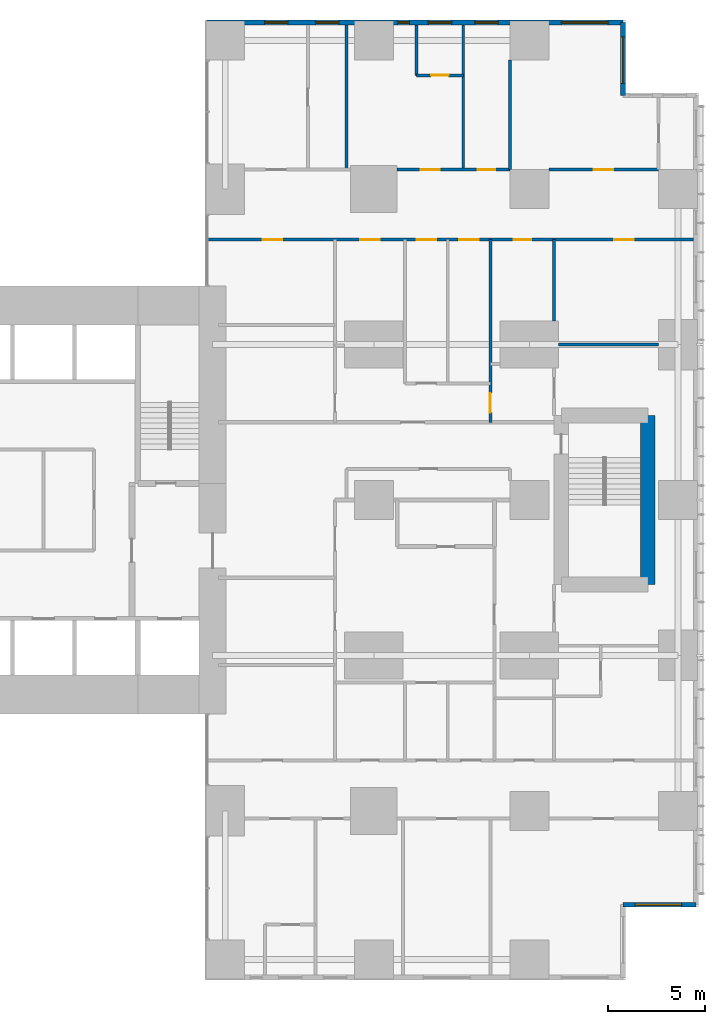
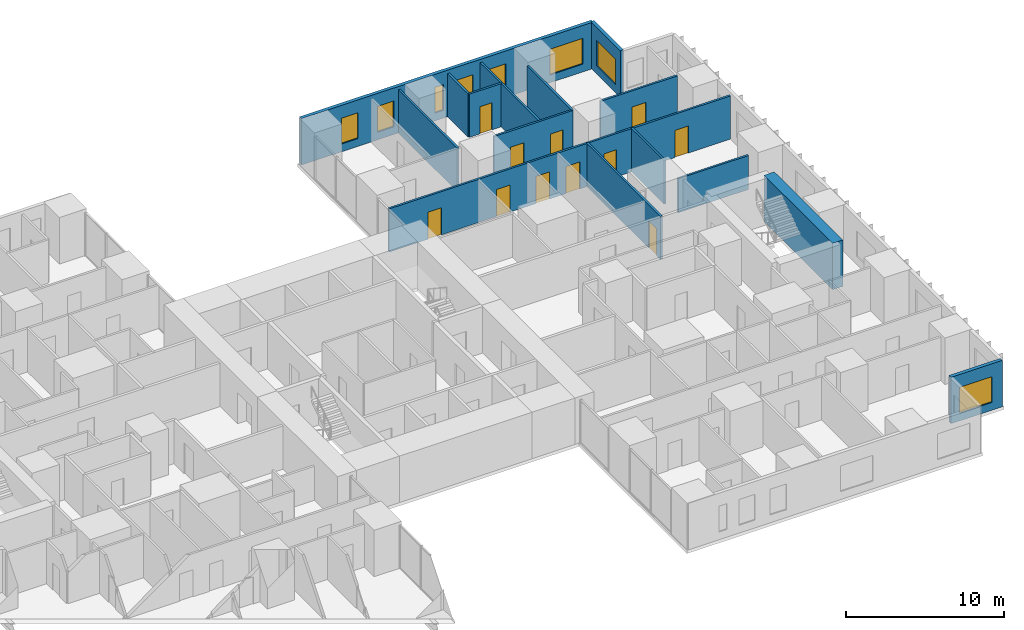
# One storey, part 18 of 20: 15 walls, 11 doors, 8 windows, 19 openings.
"""IFC4 building model written with IfcOpenShell, lengths in metres."""

from ifc_helpers import new_model, si_unit, direction, frame, frame_2d, origin, place, context, subcontext, project, spatial, rectangle, extrude, material, layer, layer_set, type_object, element, fill, save


model = new_model("IFC4")

# Units and contexts
model_context = context("Model", 3, precision=1e-05, world=origin(), true_north=direction((0.0, 1.0)))
body_context = subcontext(model_context, "Body", "Model", "MODEL_VIEW")
ifc_project = project(units=[si_unit("LENGTHUNIT", "METRE"), si_unit("AREAUNIT", "SQUARE_METRE"), si_unit("VOLUMEUNIT", "CUBIC_METRE"), si_unit("PLANEANGLEUNIT", "RADIAN"), si_unit("MASSUNIT", "GRAM", prefix="KILO")], contexts=[model_context])

# Site, building, storey
site_placement = place(None, origin())
site = spatial("IfcSite", under=ifc_project, at=site_placement, CompositionType="ELEMENT")
building_placement = place(site_placement, origin())
building = spatial("IfcBuilding", under=site, at=building_placement, Name="Cleftline Residences", CompositionType="ELEMENT")
storey_placement = place(building_placement, frame((0.0, 0.0, 36.800048828125)))
storey = spatial("IfcBuildingStorey", under=building, at=storey_placement, Name="L08", CompositionType="ELEMENT", Elevation=36.800048828125)

# Wall, opening, window
ifc_material_1 = material(Name="Rendered reinforced concrete blockwork", Category="masonry")
ifc_layer_1 = layer(ifc_material_1, 0.25)
ifc_layer_set_1 = layer_set([ifc_layer_1], Name="EXTERNAL WALL 250")
wall_type_1 = type_object("IfcWallType", Name="EXTERNAL WALL 250", PredefinedType="SOLIDWALL", material=ifc_layer_set_1)
wall_1_placement = place(storey_placement, frame((62.824951171875, 3.175048828125, 0.0), z_axis=(0.0, 0.0, 1.0), x_axis=(1.0, 0.0, 0.0)))
wall_1 = element("IfcWall", 1, at=wall_1_placement, inside=storey, type_object=wall_type_1, Name="External wall", PredefinedType="SOLIDWALL", context=body_context, shape_type="SweptSolid", body=[
    extrude(rectangle(XDim=3.75, YDim=0.25, at=frame_2d((1.875, 0.0))), origin(), (0.0, 0.0, 1.0), 3.599853515625),
])
opening_1_placement = place(wall_1_placement, frame((0.612548828125, 0.0, 0.60009765625)))
opening_1 = element("IfcOpeningElement", 2, at=opening_1_placement, cuts=wall_1, Name="Opening W6", PredefinedType="OPENING", context=body_context, shape_type="SweptSolid", body=[
    extrude(rectangle(XDim=2.39990234375, YDim=2.0, at=frame_2d((1.199951171875, 1.0))), frame((0.0, 0.135009765625, 0.0), z_axis=(0.0, -1.0, 0.0), x_axis=(1.0, 0.0, 0.0)), (0.0, 0.0, 1.0), 0.27001953125),
])
ifc_material_2 = material(Name="Aluminium frame, clear double glazing", Category="aluminium")
window_type_1 = type_object("IfcWindowType", Name="WINDOW 2400X2000", PartitioningType="DOUBLE_PANEL_VERTICAL", PredefinedType="WINDOW", material=ifc_material_2)
window_1_placement = place(opening_1_placement, origin())
window_1 = element("IfcWindow", 3, at=window_1_placement, inside=storey, type_object=window_type_1, Name="Window", OverallHeight=2.0, OverallWidth=2.39990234375, PartitioningType="SINGLE_PANEL", PredefinedType="WINDOW", context=body_context, shape_type="SweptSolid", body=[
    extrude(rectangle(XDim=2.39990234375, YDim=2.0, at=frame_2d((1.199951171875, 1.0))), frame((0.0, 0.030029296875, 0.0), z_axis=(0.0, -1.0, 0.0), x_axis=(1.0, 0.0, 0.0)), (0.0, 0.0, 1.0), 0.06005859375),
])
fill(opening_1, window_1)

wall_2_placement = place(storey_placement, frame((62.824951171875, 44.824951171875, 0.0), z_axis=(0.0, 0.0, 1.0), x_axis=(0.0, 1.0, 0.0)))
wall_2 = element("IfcWall", 4, at=wall_2_placement, inside=storey, type_object=wall_type_1, Name="External wall", PredefinedType="SOLIDWALL", context=body_context, shape_type="SweptSolid", body=[
    extrude(rectangle(XDim=3.75, YDim=0.25, at=frame_2d((1.875, 0.0))), origin(), (0.0, 0.0, 1.0), 3.599853515625),
])
opening_2_placement = place(wall_2_placement, frame((0.612548828125, 0.0, 0.60009765625)))
opening_2 = element("IfcOpeningElement", 5, at=opening_2_placement, cuts=wall_2, Name="Opening W6", PredefinedType="OPENING", context=body_context, shape_type="SweptSolid", body=[
    extrude(rectangle(XDim=2.39990234375, YDim=2.0, at=frame_2d((1.199951171875, 1.0))), frame((0.0, 0.135009765625, 0.0), z_axis=(0.0, -1.0, 0.0), x_axis=(1.0, 0.0, 0.0)), (0.0, 0.0, 1.0), 0.27001953125),
])
window_2_placement = place(opening_2_placement, origin())
window_2 = element("IfcWindow", 6, at=window_2_placement, inside=storey, type_object=window_type_1, Name="Window", OverallHeight=2.0, OverallWidth=2.39990234375, PartitioningType="SINGLE_PANEL", PredefinedType="WINDOW", context=body_context, shape_type="SweptSolid", body=[
    extrude(rectangle(XDim=2.39990234375, YDim=2.0, at=frame_2d((1.199951171875, 1.0))), frame((0.0, 0.030029296875, 0.0), z_axis=(0.0, -1.0, 0.0), x_axis=(1.0, 0.0, 0.0)), (0.0, 0.0, 1.0), 0.06005859375),
])
fill(opening_2, window_2)

# Wall, openings, windows
wall_3_placement = place(storey_placement, frame((62.824951171875, 48.574951171875, 0.0), z_axis=(0.0, 0.0, 1.0), x_axis=(-1.0, 0.0, 0.0)))
wall_3 = element("IfcWall", 7, at=wall_3_placement, inside=storey, type_object=wall_type_1, Name="External wall", PredefinedType="SOLIDWALL", context=body_context, shape_type="SweptSolid", body=[
    extrude(rectangle(XDim=21.39990234375, YDim=0.25, at=frame_2d((10.699951171875, 0.0))), origin(), (0.0, 0.0, 1.0), 3.599853515625),
])
opening_3_placement = place(wall_3_placement, frame((0.77490234375, 0.0, 0.60009765625)))
opening_3 = element("IfcOpeningElement", 8, at=opening_3_placement, cuts=wall_3, Name="Opening W6", PredefinedType="OPENING", context=body_context, shape_type="SweptSolid", body=[
    extrude(rectangle(XDim=2.39990234375, YDim=2.0, at=frame_2d((1.199951171875, 1.0))), frame((0.0, 0.135009765625, 0.0), z_axis=(0.0, -1.0, 0.0), x_axis=(1.0, 0.0, 0.0)), (0.0, 0.0, 1.0), 0.27001953125),
])
opening_4_placement = place(wall_3_placement, frame((6.425048828125, 0.0, 0.60009765625)))
opening_4 = element("IfcOpeningElement", 9, at=opening_4_placement, cuts=wall_3, Name="Opening W8", PredefinedType="OPENING", context=body_context, shape_type="SweptSolid", body=[
    extrude(rectangle(XDim=1.199951171875, YDim=2.0, at=frame_2d((0.60009765625, 1.0))), frame((0.0, 0.135009765625, 0.0), z_axis=(0.0, -1.0, 0.0), x_axis=(1.0, 0.0, 0.0)), (0.0, 0.0, 1.0), 0.27001953125),
])
opening_5_placement = place(wall_3_placement, frame((8.824951171875, 0.0, 0.60009765625)))
opening_5 = element("IfcOpeningElement", 10, at=opening_5_placement, cuts=wall_3, Name="Opening W8", PredefinedType="OPENING", context=body_context, shape_type="SweptSolid", body=[
    extrude(rectangle(XDim=1.199951171875, YDim=2.0, at=frame_2d((0.60009765625, 1.0))), frame((0.0, 0.135009765625, 0.0), z_axis=(0.0, -1.0, 0.0), x_axis=(1.0, 0.0, 0.0)), (0.0, 0.0, 1.0), 0.27001953125),
])
opening_6_placement = place(wall_3_placement, frame((11.0, 0.0, 0.60009765625)))
opening_6 = element("IfcOpeningElement", 11, at=opening_6_placement, cuts=wall_3, Name="Opening W7", PredefinedType="OPENING", context=body_context, shape_type="SweptSolid", body=[
    extrude(rectangle(XDim=0.60009765625, YDim=2.0, at=frame_2d((0.300048828125, 1.0))), frame((0.0, 0.135009765625, 0.0), z_axis=(0.0, -1.0, 0.0), x_axis=(1.0, 0.0, 0.0)), (0.0, 0.0, 1.0), 0.27001953125),
])
opening_7_placement = place(wall_3_placement, frame((14.625, 0.0, 0.60009765625)))
opening_7 = element("IfcOpeningElement", 12, at=opening_7_placement, cuts=wall_3, Name="Opening W8", PredefinedType="OPENING", context=body_context, shape_type="SweptSolid", body=[
    extrude(rectangle(XDim=1.199951171875, YDim=2.0, at=frame_2d((0.60009765625, 1.0))), frame((0.0, 0.135009765625, 0.0), z_axis=(0.0, -1.0, 0.0), x_axis=(1.0, 0.0, 0.0)), (0.0, 0.0, 1.0), 0.27001953125),
])
opening_8_placement = place(wall_3_placement, frame((17.25, 0.0, 0.60009765625)))
opening_8 = element("IfcOpeningElement", 13, at=opening_8_placement, cuts=wall_3, Name="Opening W8", PredefinedType="OPENING", context=body_context, shape_type="SweptSolid", body=[
    extrude(rectangle(XDim=1.199951171875, YDim=2.0, at=frame_2d((0.60009765625, 1.0))), frame((0.0, 0.135009765625, 0.0), z_axis=(0.0, -1.0, 0.0), x_axis=(1.0, 0.0, 0.0)), (0.0, 0.0, 1.0), 0.27001953125),
])
ifc_material_3 = material(Name="Aluminium frame, clear double glazing", Category="aluminium")
window_type_2 = type_object("IfcWindowType", Name="WINDOW 1200X2000", PartitioningType="DOUBLE_PANEL_VERTICAL", PredefinedType="WINDOW", material=ifc_material_3)
window_3_placement = place(opening_4_placement, origin())
window_3 = element("IfcWindow", 14, at=window_3_placement, inside=storey, type_object=window_type_2, Name="Window", OverallHeight=2.0, OverallWidth=1.199951171875, PartitioningType="SINGLE_PANEL", PredefinedType="WINDOW", context=body_context, shape_type="SweptSolid", body=[
    extrude(rectangle(XDim=1.199951171875, YDim=2.0, at=frame_2d((0.60009765625, 1.0))), frame((0.0, 0.030029296875, 0.0), z_axis=(0.0, -1.0, 0.0), x_axis=(1.0, 0.0, 0.0)), (0.0, 0.0, 1.0), 0.06005859375),
])
fill(opening_4, window_3)
window_4_placement = place(opening_5_placement, origin())
window_4 = element("IfcWindow", 15, at=window_4_placement, inside=storey, type_object=window_type_2, Name="Window", OverallHeight=2.0, OverallWidth=1.199951171875, PartitioningType="SINGLE_PANEL", PredefinedType="WINDOW", context=body_context, shape_type="SweptSolid", body=[
    extrude(rectangle(XDim=1.199951171875, YDim=2.0, at=frame_2d((0.60009765625, 1.0))), frame((0.0, 0.030029296875, 0.0), z_axis=(0.0, -1.0, 0.0), x_axis=(1.0, 0.0, 0.0)), (0.0, 0.0, 1.0), 0.06005859375),
])
fill(opening_5, window_4)
window_5_placement = place(opening_7_placement, origin())
window_5 = element("IfcWindow", 16, at=window_5_placement, inside=storey, type_object=window_type_2, Name="Window", OverallHeight=2.0, OverallWidth=1.199951171875, PartitioningType="SINGLE_PANEL", PredefinedType="WINDOW", context=body_context, shape_type="SweptSolid", body=[
    extrude(rectangle(XDim=1.199951171875, YDim=2.0, at=frame_2d((0.60009765625, 1.0))), frame((0.0, 0.030029296875, 0.0), z_axis=(0.0, -1.0, 0.0), x_axis=(1.0, 0.0, 0.0)), (0.0, 0.0, 1.0), 0.06005859375),
])
fill(opening_7, window_5)
window_6_placement = place(opening_8_placement, origin())
window_6 = element("IfcWindow", 17, at=window_6_placement, inside=storey, type_object=window_type_2, Name="Window", OverallHeight=2.0, OverallWidth=1.199951171875, PartitioningType="SINGLE_PANEL", PredefinedType="WINDOW", context=body_context, shape_type="SweptSolid", body=[
    extrude(rectangle(XDim=1.199951171875, YDim=2.0, at=frame_2d((0.60009765625, 1.0))), frame((0.0, 0.030029296875, 0.0), z_axis=(0.0, -1.0, 0.0), x_axis=(1.0, 0.0, 0.0)), (0.0, 0.0, 1.0), 0.06005859375),
])
fill(opening_8, window_6)
window_7_placement = place(opening_3_placement, origin())
window_7 = element("IfcWindow", 18, at=window_7_placement, inside=storey, type_object=window_type_1, Name="Window", OverallHeight=2.0, OverallWidth=2.39990234375, PartitioningType="SINGLE_PANEL", PredefinedType="WINDOW", context=body_context, shape_type="SweptSolid", body=[
    extrude(rectangle(XDim=2.39990234375, YDim=2.0, at=frame_2d((1.199951171875, 1.0))), frame((0.0, 0.030029296875, 0.0), z_axis=(0.0, -1.0, 0.0), x_axis=(1.0, 0.0, 0.0)), (0.0, 0.0, 1.0), 0.06005859375),
])
fill(opening_3, window_7)
ifc_material_4 = material(Name="Aluminium frame, clear double glazing", Category="aluminium")
window_type_3 = type_object("IfcWindowType", Name="WINDOW 600X2000", PartitioningType="DOUBLE_PANEL_VERTICAL", PredefinedType="WINDOW", material=ifc_material_4)
window_8_placement = place(opening_6_placement, origin())
window_8 = element("IfcWindow", 19, at=window_8_placement, inside=storey, type_object=window_type_3, Name="Window", OverallHeight=2.0, OverallWidth=0.60009765625, PartitioningType="SINGLE_PANEL", PredefinedType="WINDOW", context=body_context, shape_type="SweptSolid", body=[
    extrude(rectangle(XDim=0.60009765625, YDim=2.0, at=frame_2d((0.300048828125, 1.0))), frame((0.0, 0.030029296875, 0.0), z_axis=(0.0, -1.0, 0.0), x_axis=(1.0, 0.0, 0.0)), (0.0, 0.0, 1.0), 0.06005859375),
])
fill(opening_6, window_8)

# Wall
ifc_material_5 = material(Name="Gypsum board on steel studs", Category="steel")
ifc_layer_2 = layer(ifc_material_5, 0.14990234375)
ifc_layer_set_2 = layer_set([ifc_layer_2], Name="PARTITION 150")
wall_type_2 = type_object("IfcWallType", Name="PARTITION 150", PredefinedType="PARTITIONING", material=ifc_layer_set_2)
wall_4_placement = place(storey_placement, frame((59.5, 32.0, 0.0), z_axis=(0.0, 0.0, 1.0), x_axis=(1.0, 0.0, 0.0)))
element("IfcWall", 20, at=wall_4_placement, inside=storey, type_object=wall_type_2, Name="Partition", PredefinedType="PARTITIONING", context=body_context, shape_type="SweptSolid", body=[
    extrude(rectangle(XDim=5.14990234375, YDim=0.14990234375, at=frame_2d((2.574951171875, 0.0))), origin(), (0.0, 0.0, 1.0), 2.634033203125),
])

# Wall, openings, doors
wall_5_placement = place(storey_placement, frame((41.43896484375, 37.39990234375, 0.0), z_axis=(0.0, 0.0, 1.0), x_axis=(1.0, 0.0, 0.0)))
wall_5 = element("IfcWall", 21, at=wall_5_placement, inside=storey, type_object=wall_type_2, Name="Partition", PredefinedType="PARTITIONING", context=body_context, shape_type="SweptSolid", body=[
    extrude(rectangle(XDim=25.010986328125, YDim=0.14990234375, at=frame_2d((12.50537109375, 0.0))), origin(), (0.0, 0.0, 1.0), 3.349853515625),
])
opening_9_placement = place(wall_5_placement, frame((10.760986328125, 0.0, 0.0)))
opening_9 = element("IfcOpeningElement", 22, at=opening_9_placement, cuts=wall_5, Name="Opening D2", PredefinedType="OPENING", context=body_context, shape_type="SweptSolid", body=[
    extrude(rectangle(XDim=1.0, YDim=2.10009765625, at=frame_2d((0.5, 1.050048828125))), frame((0.0, 0.0849609375, 0.0), z_axis=(0.0, -1.0, 0.0), x_axis=(1.0, 0.0, 0.0)), (0.0, 0.0, 1.0), 0.169921875),
])
opening_10_placement = place(wall_5_placement, frame((20.923583984375, 0.0, 0.0)))
opening_10 = element("IfcOpeningElement", 23, at=opening_10_placement, cuts=wall_5, Name="Opening D2", PredefinedType="OPENING", context=body_context, shape_type="SweptSolid", body=[
    extrude(rectangle(XDim=1.0, YDim=2.10009765625, at=frame_2d((0.5, 1.050048828125))), frame((0.0, 0.0849609375, 0.0), z_axis=(0.0, -1.0, 0.0), x_axis=(1.0, 0.0, 0.0)), (0.0, 0.0, 1.0), 0.169921875),
])
opening_11_placement = place(wall_5_placement, frame((15.74853515625, 0.0, 0.0)))
opening_11 = element("IfcOpeningElement", 24, at=opening_11_placement, cuts=wall_5, Name="Opening D1", PredefinedType="OPENING", context=body_context, shape_type="SweptSolid", body=[
    extrude(rectangle(XDim=0.89990234375, YDim=2.10009765625, at=frame_2d((0.449951171875, 1.050048828125))), frame((0.0, 0.0849609375, 0.0), z_axis=(0.0, -1.0, 0.0), x_axis=(1.0, 0.0, 0.0)), (0.0, 0.0, 1.0), 0.169921875),
])
opening_12_placement = place(wall_5_placement, frame((12.9609375, 0.0, 0.0)))
opening_12 = element("IfcOpeningElement", 25, at=opening_12_placement, cuts=wall_5, Name="Opening D2", PredefinedType="OPENING", context=body_context, shape_type="SweptSolid", body=[
    extrude(rectangle(XDim=1.0, YDim=2.10009765625, at=frame_2d((0.5, 1.050048828125))), frame((0.0, 0.0849609375, 0.0), z_axis=(0.0, -1.0, 0.0), x_axis=(1.0, 0.0, 0.0)), (0.0, 0.0, 1.0), 0.169921875),
])
opening_13_placement = place(wall_5_placement, frame((7.861083984375, 0.0, 0.0)))
opening_13 = element("IfcOpeningElement", 26, at=opening_13_placement, cuts=wall_5, Name="Opening D2", PredefinedType="OPENING", context=body_context, shape_type="SweptSolid", body=[
    extrude(rectangle(XDim=1.0, YDim=2.10009765625, at=frame_2d((0.5, 1.050048828125))), frame((0.0, 0.0849609375, 0.0), z_axis=(0.0, -1.0, 0.0), x_axis=(1.0, 0.0, 0.0)), (0.0, 0.0, 1.0), 0.169921875),
])
opening_14_placement = place(wall_5_placement, frame((2.8359375, 0.0, 0.0)))
opening_14 = element("IfcOpeningElement", 27, at=opening_14_placement, cuts=wall_5, Name="Opening D2", PredefinedType="OPENING", context=body_context, shape_type="SweptSolid", body=[
    extrude(rectangle(XDim=1.0, YDim=2.10009765625, at=frame_2d((0.5, 1.050048828125))), frame((0.0, 0.0849609375, 0.0), z_axis=(0.0, -1.0, 0.0), x_axis=(1.0, 0.0, 0.0)), (0.0, 0.0, 1.0), 0.169921875),
])
ifc_material_6 = material(Name="Timber veneer on solid core", Category="wood")
door_type_1 = type_object("IfcDoorType", Name="DOOR 1000X2100", OperationType="SINGLE_SWING_LEFT", PredefinedType="DOOR", material=ifc_material_6)
door_1_placement = place(opening_9_placement, origin())
door_1 = element("IfcDoor", 28, at=door_1_placement, inside=storey, type_object=door_type_1, Name="Door to residence hall", OperationType="SINGLE_SWING_RIGHT", OverallHeight=2.10009765625, OverallWidth=1.0, PredefinedType="DOOR", context=body_context, shape_type="SweptSolid", body=[
    extrude(rectangle(XDim=1.0, YDim=2.10009765625, at=frame_2d((0.5, 1.050048828125))), frame((0.0, 0.02490234375, 0.0), z_axis=(0.0, -1.0, 0.0), x_axis=(1.0, 0.0, 0.0)), (0.0, 0.0, 1.0), 0.050048828125),
])
fill(opening_9, door_1)
door_2_placement = place(opening_10_placement, origin())
door_2 = element("IfcDoor", 29, at=door_2_placement, inside=storey, type_object=door_type_1, Name="Door to sea-view living room", OperationType="SINGLE_SWING_LEFT", OverallHeight=2.10009765625, OverallWidth=1.0, PredefinedType="DOOR", context=body_context, shape_type="SweptSolid", body=[
    extrude(rectangle(XDim=1.0, YDim=2.10009765625, at=frame_2d((0.5, 1.050048828125))), frame((0.0, 0.02490234375, 0.0), z_axis=(0.0, -1.0, 0.0), x_axis=(1.0, 0.0, 0.0)), (0.0, 0.0, 1.0), 0.050048828125),
])
fill(opening_10, door_2)
door_3_placement = place(opening_12_placement, origin())
door_3 = element("IfcDoor", 30, at=door_3_placement, inside=storey, type_object=door_type_1, Name="Door to show kitchen", OperationType="SINGLE_SWING_LEFT", OverallHeight=2.10009765625, OverallWidth=1.0, PredefinedType="DOOR", context=body_context, shape_type="SweptSolid", body=[
    extrude(rectangle(XDim=1.0, YDim=2.10009765625, at=frame_2d((0.5, 1.050048828125))), frame((0.0, 0.02490234375, 0.0), z_axis=(0.0, -1.0, 0.0), x_axis=(1.0, 0.0, 0.0)), (0.0, 0.0, 1.0), 0.050048828125),
])
fill(opening_12, door_3)
door_4_placement = place(opening_13_placement, origin())
door_4 = element("IfcDoor", 31, at=door_4_placement, inside=storey, type_object=door_type_1, Name="Door to wet kitchen", OperationType="SINGLE_SWING_RIGHT", OverallHeight=2.10009765625, OverallWidth=1.0, PredefinedType="DOOR", context=body_context, shape_type="SweptSolid", body=[
    extrude(rectangle(XDim=1.0, YDim=2.10009765625, at=frame_2d((0.5, 1.050048828125))), frame((0.0, 0.02490234375, 0.0), z_axis=(0.0, -1.0, 0.0), x_axis=(1.0, 0.0, 0.0)), (0.0, 0.0, 1.0), 0.050048828125),
])
fill(opening_13, door_4)
door_5_placement = place(opening_14_placement, origin())
door_5 = element("IfcDoor", 32, at=door_5_placement, inside=storey, type_object=door_type_1, Name="Door to study", OperationType="SINGLE_SWING_RIGHT", OverallHeight=2.10009765625, OverallWidth=1.0, PredefinedType="DOOR", context=body_context, shape_type="SweptSolid", body=[
    extrude(rectangle(XDim=1.0, YDim=2.10009765625, at=frame_2d((0.5, 1.050048828125))), frame((0.0, 0.02490234375, 0.0), z_axis=(0.0, -1.0, 0.0), x_axis=(1.0, 0.0, 0.0)), (0.0, 0.0, 1.0), 0.050048828125),
])
fill(opening_14, door_5)
ifc_material_7 = material(Name="Timber veneer on solid core", Category="wood")
door_type_2 = type_object("IfcDoorType", Name="DOOR 900X2100", OperationType="SINGLE_SWING_LEFT", PredefinedType="DOOR", material=ifc_material_7)
door_6_placement = place(opening_11_placement, origin())
door_6 = element("IfcDoor", 33, at=door_6_placement, inside=storey, type_object=door_type_2, Name="Door to master bathroom", OperationType="SINGLE_SWING_LEFT", OverallHeight=2.10009765625, OverallWidth=0.89990234375, PredefinedType="DOOR", context=body_context, shape_type="SweptSolid", body=[
    extrude(rectangle(XDim=0.89990234375, YDim=2.10009765625, at=frame_2d((0.449951171875, 1.050048828125))), frame((0.0, 0.02490234375, 0.0), z_axis=(0.0, -1.0, 0.0), x_axis=(1.0, 0.0, 0.0)), (0.0, 0.0, 1.0), 0.050048828125),
])
fill(opening_11, door_6)

wall_6_placement = place(storey_placement, frame((51.199951171875, 41.0, 0.0), z_axis=(0.0, 0.0, 1.0), x_axis=(1.0, 0.0, 0.0)))
wall_6 = element("IfcWall", 34, at=wall_6_placement, inside=storey, type_object=wall_type_2, Name="Partition", PredefinedType="PARTITIONING", context=body_context, shape_type="SweptSolid", body=[
    extrude(rectangle(XDim=5.800048828125, YDim=0.14990234375, at=frame_2d((2.89990234375, 0.0))), origin(), (0.0, 0.0, 1.0), 3.349853515625),
])
opening_15_placement = place(wall_6_placement, frame((4.14990234375, 0.0, 0.0)))
opening_15 = element("IfcOpeningElement", 35, at=opening_15_placement, cuts=wall_6, Name="Opening D1", PredefinedType="OPENING", context=body_context, shape_type="SweptSolid", body=[
    extrude(rectangle(XDim=0.89990234375, YDim=2.10009765625, at=frame_2d((0.449951171875, 1.050048828125))), frame((0.0, 0.0849609375, 0.0), z_axis=(0.0, -1.0, 0.0), x_axis=(1.0, 0.0, 0.0)), (0.0, 0.0, 1.0), 0.169921875),
])
opening_16_placement = place(wall_6_placement, frame((1.199951171875, 0.0, 0.0)))
opening_16 = element("IfcOpeningElement", 36, at=opening_16_placement, cuts=wall_6, Name="Opening D2", PredefinedType="OPENING", context=body_context, shape_type="SweptSolid", body=[
    extrude(rectangle(XDim=1.0, YDim=2.10009765625, at=frame_2d((0.5, 1.050048828125))), frame((0.0, 0.0849609375, 0.0), z_axis=(0.0, -1.0, 0.0), x_axis=(1.0, 0.0, 0.0)), (0.0, 0.0, 1.0), 0.169921875),
])
door_7_placement = place(opening_16_placement, origin())
door_7 = element("IfcDoor", 37, at=door_7_placement, inside=storey, type_object=door_type_1, Name="Door to bedroom 2", OperationType="SINGLE_SWING_RIGHT", OverallHeight=2.10009765625, OverallWidth=1.0, PredefinedType="DOOR", context=body_context, shape_type="SweptSolid", body=[
    extrude(rectangle(XDim=1.0, YDim=2.10009765625, at=frame_2d((0.5, 1.050048828125))), frame((0.0, 0.02490234375, 0.0), z_axis=(0.0, -1.0, 0.0), x_axis=(1.0, 0.0, 0.0)), (0.0, 0.0, 1.0), 0.050048828125),
])
fill(opening_16, door_7)
door_8_placement = place(opening_15_placement, origin())
door_8 = element("IfcDoor", 38, at=door_8_placement, inside=storey, type_object=door_type_2, Name="Door to master dressing room", OperationType="SINGLE_SWING_LEFT", OverallHeight=2.10009765625, OverallWidth=0.89990234375, PredefinedType="DOOR", context=body_context, shape_type="SweptSolid", body=[
    extrude(rectangle(XDim=0.89990234375, YDim=2.10009765625, at=frame_2d((0.449951171875, 1.050048828125))), frame((0.0, 0.02490234375, 0.0), z_axis=(0.0, -1.0, 0.0), x_axis=(1.0, 0.0, 0.0)), (0.0, 0.0, 1.0), 0.050048828125),
])
fill(opening_15, door_8)

# Wall, opening, door
wall_7_placement = place(storey_placement, frame((59.0, 41.0, 0.0), z_axis=(0.0, 0.0, 1.0), x_axis=(1.0, 0.0, 0.0)))
wall_7 = element("IfcWall", 39, at=wall_7_placement, inside=storey, type_object=wall_type_2, Name="Partition", PredefinedType="PARTITIONING", context=body_context, shape_type="SweptSolid", body=[
    extrude(rectangle(XDim=5.64990234375, YDim=0.14990234375, at=frame_2d((2.824951171875, 0.0))), origin(), (0.0, 0.0, 1.0), 3.349853515625),
])
opening_17_placement = place(wall_7_placement, frame((2.324951171875, 0.0, 0.0)))
opening_17 = element("IfcOpeningElement", 40, at=opening_17_placement, cuts=wall_7, Name="Opening D2", PredefinedType="OPENING", context=body_context, shape_type="SweptSolid", body=[
    extrude(rectangle(XDim=1.0, YDim=2.10009765625, at=frame_2d((0.5, 1.050048828125))), frame((0.0, 0.0849609375, 0.0), z_axis=(0.0, -1.0, 0.0), x_axis=(1.0, 0.0, 0.0)), (0.0, 0.0, 1.0), 0.169921875),
])
door_9_placement = place(opening_17_placement, origin())
door_9 = element("IfcDoor", 41, at=door_9_placement, inside=storey, type_object=door_type_1, Name="Door to master bedroom", OperationType="SINGLE_SWING_LEFT", OverallHeight=2.10009765625, OverallWidth=1.0, PredefinedType="DOOR", context=body_context, shape_type="SweptSolid", body=[
    extrude(rectangle(XDim=1.0, YDim=2.10009765625, at=frame_2d((0.5, 1.050048828125))), frame((0.0, 0.02490234375, 0.0), z_axis=(0.0, -1.0, 0.0), x_axis=(1.0, 0.0, 0.0)), (0.0, 0.0, 1.0), 0.050048828125),
])
fill(opening_17, door_9)

wall_8_placement = place(storey_placement, frame((52.199951171875, 45.85009765625, 0.0), z_axis=(0.0, 0.0, 1.0), x_axis=(1.0, 0.0, 0.0)))
wall_8 = element("IfcWall", 42, at=wall_8_placement, inside=storey, type_object=wall_type_2, Name="Partition", PredefinedType="PARTITIONING", context=body_context, shape_type="SweptSolid", body=[
    extrude(rectangle(XDim=2.400146484375, YDim=0.14990234375, at=frame_2d((1.2001953125, 0.0))), origin(), (0.0, 0.0, 1.0), 3.349853515625),
])
opening_18_placement = place(wall_8_placement, frame((0.75, 0.0, 0.0)))
opening_18 = element("IfcOpeningElement", 43, at=opening_18_placement, cuts=wall_8, Name="Opening D1", PredefinedType="OPENING", context=body_context, shape_type="SweptSolid", body=[
    extrude(rectangle(XDim=0.89990234375, YDim=2.10009765625, at=frame_2d((0.449951171875, 1.050048828125))), frame((0.0, 0.0849609375, 0.0), z_axis=(0.0, -1.0, 0.0), x_axis=(1.0, 0.0, 0.0)), (0.0, 0.0, 1.0), 0.169921875),
])
door_10_placement = place(opening_18_placement, origin())
door_10 = element("IfcDoor", 44, at=door_10_placement, inside=storey, type_object=door_type_2, Name="Door to en-suite bathroom 2", OperationType="SINGLE_SWING_LEFT", OverallHeight=2.10009765625, OverallWidth=0.89990234375, PredefinedType="DOOR", context=body_context, shape_type="SweptSolid", body=[
    extrude(rectangle(XDim=0.89990234375, YDim=2.10009765625, at=frame_2d((0.449951171875, 1.050048828125))), frame((0.0, 0.02490234375, 0.0), z_axis=(0.0, -1.0, 0.0), x_axis=(1.0, 0.0, 0.0)), (0.0, 0.0, 1.0), 0.050048828125),
])
fill(opening_18, door_10)

# Walls
wall_9_placement = place(storey_placement, frame((48.60009765625, 41.0, 0.0), z_axis=(0.0, 0.0, 1.0), x_axis=(0.0, 1.0, 0.0)))
element("IfcWall", 45, at=wall_9_placement, inside=storey, type_object=wall_type_2, Name="Partition", PredefinedType="PARTITIONING", context=body_context, shape_type="SweptSolid", body=[
    extrude(rectangle(XDim=7.449951171875, YDim=0.14990234375, at=frame_2d((3.72509765625, 0.0))), origin(), (0.0, 0.0, 1.0), 3.349853515625),
])
wall_10_placement = place(storey_placement, frame((52.199951171875, 45.85009765625, 0.0), z_axis=(0.0, 0.0, 1.0), x_axis=(0.0, 1.0, 0.0)))
element("IfcWall", 46, at=wall_10_placement, inside=storey, type_object=wall_type_2, Name="Partition", PredefinedType="PARTITIONING", context=body_context, shape_type="SweptSolid", body=[
    extrude(rectangle(XDim=2.599853515625, YDim=0.14990234375, at=frame_2d((1.2998046875, 0.0))), origin(), (0.0, 0.0, 1.0), 3.349853515625),
])
wall_11_placement = place(storey_placement, frame((54.60009765625, 41.0, 0.0), z_axis=(0.0, 0.0, 1.0), x_axis=(0.0, 1.0, 0.0)))
element("IfcWall", 47, at=wall_11_placement, inside=storey, type_object=wall_type_2, Name="Partition", PredefinedType="PARTITIONING", context=body_context, shape_type="SweptSolid", body=[
    extrude(rectangle(XDim=7.449951171875, YDim=0.14990234375, at=frame_2d((3.72509765625, 0.0))), origin(), (0.0, 0.0, 1.0), 3.349853515625),
])

# Wall, opening, door
wall_12_placement = place(storey_placement, frame((56.0, 28.0, 0.0), z_axis=(0.0, 0.0, 1.0), x_axis=(0.0, 1.0, 0.0)))
wall_12 = element("IfcWall", 48, at=wall_12_placement, inside=storey, type_object=wall_type_2, Name="Partition", PredefinedType="PARTITIONING", context=body_context, shape_type="SweptSolid", body=[
    extrude(rectangle(XDim=9.39990234375, YDim=0.14990234375, at=frame_2d((4.699951171875, 0.0))), origin(), (0.0, 0.0, 1.0), 3.349853515625),
])
opening_19_placement = place(wall_12_placement, frame((0.5, 0.0, 0.0)))
opening_19 = element("IfcOpeningElement", 49, at=opening_19_placement, cuts=wall_12, Name="Opening D2F30", PredefinedType="OPENING", context=body_context, shape_type="SweptSolid", body=[
    extrude(rectangle(XDim=1.0, YDim=2.10009765625, at=frame_2d((0.5, 1.050048828125))), frame((0.0, 0.0849609375, 0.0), z_axis=(0.0, -1.0, 0.0), x_axis=(1.0, 0.0, 0.0)), (0.0, 0.0, 1.0), 0.169921875),
])
ifc_material_8 = material(Name="Timber veneer on solid core", Category="wood")
door_type_3 = type_object("IfcDoorType", Name="DOOR 1000X2100 EI 30", OperationType="SINGLE_SWING_LEFT", PredefinedType="DOOR", material=ifc_material_8)
door_11_placement = place(opening_19_placement, origin())
door_11 = element("IfcDoor", 50, at=door_11_placement, inside=storey, type_object=door_type_3, Name="Door to residence lobby (service)", OperationType="SINGLE_SWING_RIGHT", OverallHeight=2.10009765625, OverallWidth=1.0, PredefinedType="DOOR", context=body_context, shape_type="SweptSolid", body=[
    extrude(rectangle(XDim=1.0, YDim=2.10009765625, at=frame_2d((0.5, 1.050048828125))), frame((0.0, 0.02490234375, 0.0), z_axis=(0.0, -1.0, 0.0), x_axis=(1.0, 0.0, 0.0)), (0.0, 0.0, 1.0), 0.050048828125),
])
fill(opening_19, door_11)

# Walls
wall_13_placement = place(storey_placement, frame((57.0, 41.0, 0.0), z_axis=(0.0, 0.0, 1.0), x_axis=(0.0, 1.0, 0.0)))
element("IfcWall", 51, at=wall_13_placement, inside=storey, type_object=wall_type_2, Name="Partition", PredefinedType="PARTITIONING", context=body_context, shape_type="SweptSolid", body=[
    extrude(rectangle(XDim=5.64990234375, YDim=0.14990234375, at=frame_2d((2.824951171875, 0.0))), origin(), (0.0, 0.0, 1.0), 3.349853515625),
])
wall_14_placement = place(storey_placement, frame((59.27490234375, 33.199951171875, 0.0), z_axis=(0.0, 0.0, 1.0), x_axis=(0.0, 1.0, 0.0)))
element("IfcWall", 52, at=wall_14_placement, inside=storey, type_object=wall_type_2, Name="Partition", PredefinedType="PARTITIONING", context=body_context, shape_type="SweptSolid", body=[
    extrude(rectangle(XDim=4.199951171875, YDim=0.14990234375, at=frame_2d((2.10009765625, 0.0))), origin(), (0.0, 0.0, 1.0), 3.349853515625),
])
ifc_material_9 = material(Name="Concrete B70", Category="concrete")
ifc_layer_3 = layer(ifc_material_9, 0.75)
ifc_layer_set_3 = layer_set([ifc_layer_3], Name="SHEAR WALL 750")
wall_type_3 = type_object("IfcWallType", Name="SHEAR WALL 750", PredefinedType="SHEAR", material=ifc_layer_set_3)
wall_15_placement = place(storey_placement, frame((64.10009765625, 19.64990234375, 0.0), z_axis=(0.0, 0.0, 1.0), x_axis=(0.0, 1.0, 0.0)))
element("IfcWall", 53, at=wall_15_placement, inside=storey, type_object=wall_type_3, Name="Wing shear wall", PredefinedType="SHEAR", context=body_context, shape_type="SweptSolid", body=[
    extrude(rectangle(XDim=8.7001953125, YDim=0.75, at=frame_2d((4.35009765625, 0.0))), origin(), (0.0, 0.0, 1.0), 3.599853515625),
])

save(model, "model.ifc")
